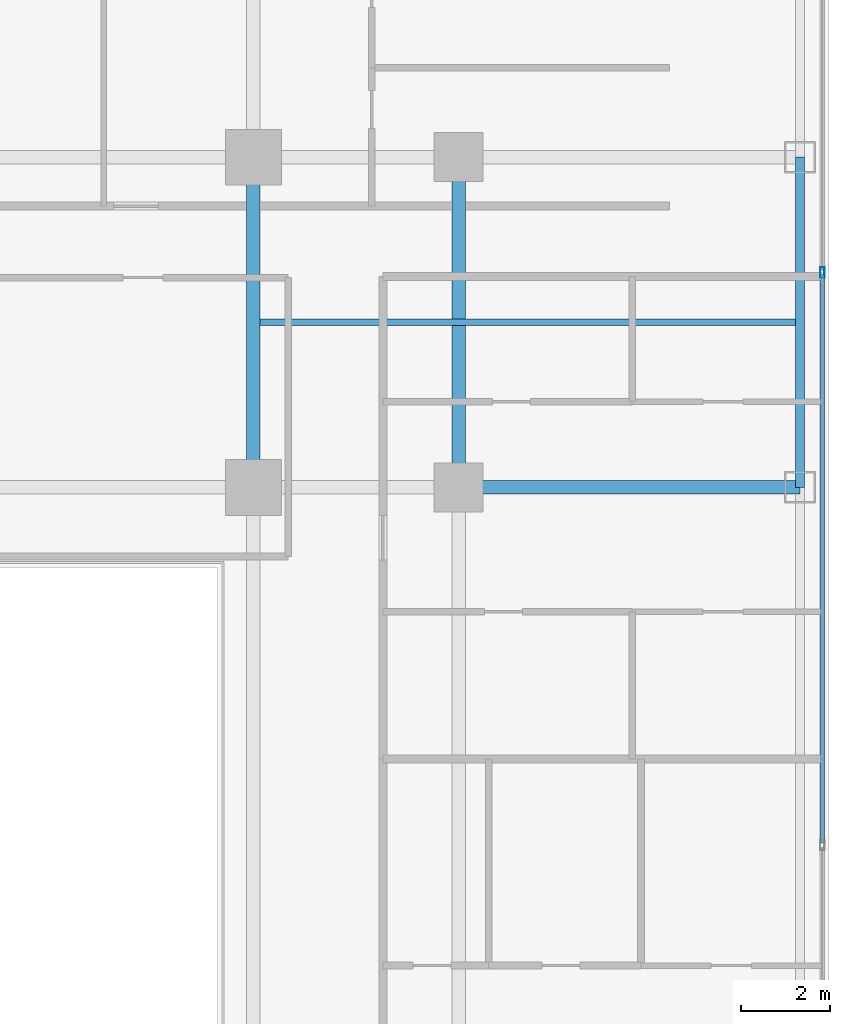
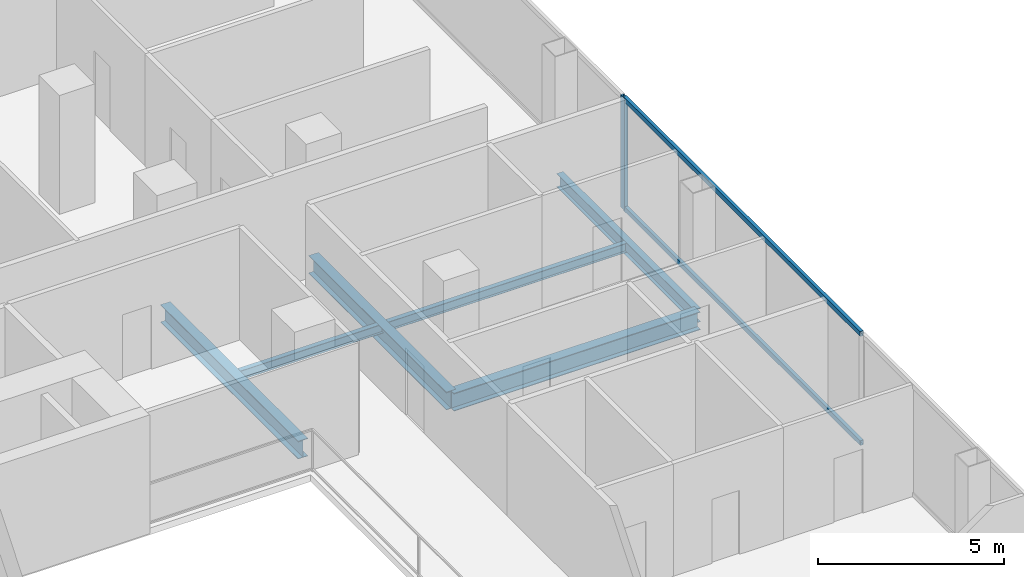
# One storey, part 11 of 27: 5 beams, 3 members, 1 element without a shape of its own.
"""IFC4 building model written with IfcOpenShell, lengths in metres."""

from ifc_helpers import new_model, si_unit, direction, frame, origin, origin_2d, place, context, subcontext, project, spatial, hollow_rectangle, i_section, extrude, material, layer, layer_set, material_profile, profile_set, type_object, element, aggregate, save


model = new_model("IFC4")

# Units and contexts
model_context = context("Model", 3, precision=1e-05, world=origin(), true_north=direction((0.0, 1.0)))
body_context = subcontext(model_context, "Body", "Model", "MODEL_VIEW")
ifc_project = project(units=[si_unit("LENGTHUNIT", "METRE"), si_unit("AREAUNIT", "SQUARE_METRE"), si_unit("VOLUMEUNIT", "CUBIC_METRE"), si_unit("PLANEANGLEUNIT", "RADIAN"), si_unit("MASSUNIT", "GRAM", prefix="KILO")], contexts=[model_context])

# Site, building, storey
site_placement = place(None, origin())
site = spatial("IfcSite", under=ifc_project, at=site_placement, CompositionType="ELEMENT")
building_placement = place(site_placement, origin())
building = spatial("IfcBuilding", under=site, at=building_placement, Name="Khorvyn Point Tower", CompositionType="ELEMENT")
storey_placement = place(building_placement, frame((0.0, 0.0, 129.0)))
storey = spatial("IfcBuildingStorey", under=building, at=storey_placement, Name="L32", CompositionType="ELEMENT", Elevation=129.0)

# Curtain wall, members
ifc_material_1 = material(Name="Anodised aluminium 6063-T6 and laminated Low-E glass", Category="aluminium")
ifc_layer = layer(ifc_material_1, 0.18994140625)
ifc_layer_set = layer_set([ifc_layer], Name="Stick-Built Acoustic Curtain Wall CW-SYS-03")
curtain_wall_type = type_object("IfcCurtainWallType", Name="Stick-Built Acoustic Curtain Wall CW-SYS-03", PredefinedType="NOTDEFINED", material=ifc_layer_set)
curtain_wall_placement = place(storey_placement, origin())
curtain_wall = element("IfcCurtainWall", 1, at=curtain_wall_placement, inside=storey, type_object=curtain_wall_type, Name="Curtain Wall", PredefinedType="NOTDEFINED")
ifc_material_2 = material(Name="Anodised aluminium 6063-T6", Category="aluminium")
ifc_material_profile_1 = material_profile(ifc_material_2, hollow_rectangle(XDim=0.10009765625, YDim=0.239990234375, WallThickness=0.0048828125, at=origin_2d()))
ifc_profile_set_1 = profile_set([ifc_material_profile_1], Name="Anodised aluminium 6063-T6 ALU-MUL-100x240")
member_type_1 = type_object("IfcMemberType", Name="Anodised Aluminium 6063-T6 Mullion ALU-MUL-100x240", PredefinedType="MULLION", material=ifc_profile_set_1)
member_1_placement = place(storey_placement, frame((27.550048828125, 12.216552734375, 0.0), z_axis=(0.0, 0.0, 1.0), x_axis=(1.0, 0.0, 0.0)))
member_1 = element("IfcMember", 2, at=member_1_placement, type_object=member_type_1, Name="Transom", PredefinedType="MULLION", context=body_context, shape_type="SweptSolid", body=[
    extrude(hollow_rectangle(XDim=0.10009765625, YDim=0.239990234375, WallThickness=0.0048828125, at=origin_2d()), origin(), (0.0, 0.0, 1.0), 3.679931640625),
])
ifc_material_profile_2 = material_profile(ifc_material_2, hollow_rectangle(XDim=0.10009765625, YDim=0.159912109375, WallThickness=0.00439453125, at=origin_2d()))
ifc_profile_set_2 = profile_set([ifc_material_profile_2], Name="Anodised aluminium 6063-T6 ALU-TRN-100x160")
member_type_2 = type_object("IfcMemberType", Name="Anodised Aluminium 6063-T6 Transom ALU-TRN-100x160", PredefinedType="USERDEFINED", material=ifc_profile_set_2)
member_2_placement = place(storey_placement, frame((27.550048828125, 12.166748046875, 0.050048828125), z_axis=(0.0, -1.0, 0.0), x_axis=(1.0, 0.0, 0.0)))
member_2 = element("IfcMember", 3, at=member_2_placement, type_object=member_type_2, Name="Transom", ObjectType="TRANSOM", PredefinedType="USERDEFINED", context=body_context, shape_type="SweptSolid", body=[
    extrude(hollow_rectangle(XDim=0.10009765625, YDim=0.159912109375, WallThickness=0.00439453125, at=origin_2d()), origin(), (0.0, 0.0, 1.0), 12.7333984375),
])
member_3_placement = place(storey_placement, frame((27.550048828125, 12.166748046875, 3.6298828125), z_axis=(0.0, -1.0, 0.0), x_axis=(1.0, 0.0, 0.0)))
member_3 = element("IfcMember", 4, at=member_3_placement, type_object=member_type_2, Name="Transom", ObjectType="TRANSOM", PredefinedType="USERDEFINED", context=body_context, shape_type="SweptSolid", body=[
    extrude(hollow_rectangle(XDim=0.10009765625, YDim=0.159912109375, WallThickness=0.00439453125, at=origin_2d()), origin(), (0.0, 0.0, 1.0), 12.7333984375),
])
aggregate(curtain_wall, [member_1, member_2, member_3])

# Beams
ifc_material_3 = material(Name="Steel S355", Category="steel")
ifc_material_profile_3 = material_profile(ifc_material_3, i_section(OverallWidth=0.300048828125, OverallDepth=0.587890625, WebThickness=0.011962890625, FlangeThickness=0.02001953125, at=origin_2d()))
ifc_profile_set_3 = profile_set([ifc_material_profile_3], Name="Steel S355 H588x300x12x20")
beam_type_1 = type_object("IfcBeamType", Name="Steel S355 Beam H588x300x12x20", PredefinedType="BEAM", material=ifc_profile_set_3)
beam_1_placement = place(storey_placement, frame((19.39990234375, 7.39990234375, -0.513916015625), z_axis=(1.0, 0.0, 0.0), x_axis=(0.0, 1.0, 0.0)))
element("IfcBeam", 5, at=beam_1_placement, inside=storey, type_object=beam_type_1, Name="Beam", PredefinedType="BEAM", context=body_context, shape_type="SweptSolid", body=[
    extrude(i_section(OverallWidth=0.300048828125, OverallDepth=0.587890625, WebThickness=0.011962890625, FlangeThickness=0.02001953125, at=origin_2d()), origin(), (0.0, 0.0, 1.0), 7.650146484375),
])
for number, where, z_axis, x_axis, name in (
    (6, (14.800048828125, 7.39990234375, -0.513916015625), (0.0, 1.0, 0.0), (-1.0, 0.0, 0.0), "Beam"),
    (7, (19.39990234375, 7.39990234375, -0.513916015625), (0.0, 1.0, 0.0), (-1.0, 0.0, 0.0), "Beam"),
):
    element("IfcBeam", number, at=place(storey_placement, frame(where, z_axis=z_axis, x_axis=x_axis)), inside=storey, type_object=beam_type_1, Name=name, PredefinedType="BEAM", context=body_context, shape_type="SweptSolid", body=[
        extrude(i_section(OverallWidth=0.300048828125, OverallDepth=0.587890625, WebThickness=0.011962890625, FlangeThickness=0.02001953125, at=origin_2d()), origin(), (0.0, 0.0, 1.0), 7.400146484375),
    ])
ifc_material_profile_4 = material_profile(ifc_material_3, i_section(OverallWidth=0.14990234375, OverallDepth=0.300048828125, WebThickness=0.006591796875, FlangeThickness=0.009033203125, at=origin_2d()))
ifc_profile_set_4 = profile_set([ifc_material_profile_4], Name="Steel S355 H300x150x6.5x9")
beam_type_2 = type_object("IfcBeamType", Name="Steel S355 Joist H300x150x6.5x9", PredefinedType="JOIST", material=ifc_profile_set_4)
beam_2_placement = place(storey_placement, frame((14.949951171875, 11.10009765625, -0.3701171875), z_axis=(1.0, 0.0, 0.0), x_axis=(0.0, 1.0, 0.0)))
element("IfcBeam", 8, at=beam_2_placement, inside=storey, type_object=beam_type_2, Name="Beam", PredefinedType="JOIST", context=body_context, shape_type="SweptSolid", body=[
    extrude(i_section(OverallWidth=0.14990234375, OverallDepth=0.300048828125, WebThickness=0.006591796875, FlangeThickness=0.009033203125, at=origin_2d()), origin(), (0.0, 0.0, 1.0), 12.0),
])
ifc_material_profile_5 = material_profile(ifc_material_3, i_section(OverallWidth=0.199951171875, OverallDepth=0.449951171875, WebThickness=0.009033203125, FlangeThickness=0.013916015625, at=origin_2d()))
ifc_profile_set_5 = profile_set([ifc_material_profile_5], Name="Steel S355 H450x200x9x14")
beam_type_3 = type_object("IfcBeamType", Name="Steel S355 Spandrel H450x200x9x14", PredefinedType="SPANDREL", material=ifc_profile_set_5)
beam_3_placement = place(storey_placement, frame((27.050048828125, 7.39990234375, -0.445068359375), z_axis=(0.0, 1.0, 0.0), x_axis=(-1.0, 0.0, 0.0)))
element("IfcBeam", 9, at=beam_3_placement, inside=storey, type_object=beam_type_3, Name="Beam", PredefinedType="SPANDREL", context=body_context, shape_type="SweptSolid", body=[
    extrude(i_section(OverallWidth=0.199951171875, OverallDepth=0.449951171875, WebThickness=0.009033203125, FlangeThickness=0.013916015625, at=origin_2d()), origin(), (0.0, 0.0, 1.0), 7.400146484375),
])

save(model, "model.ifc")
